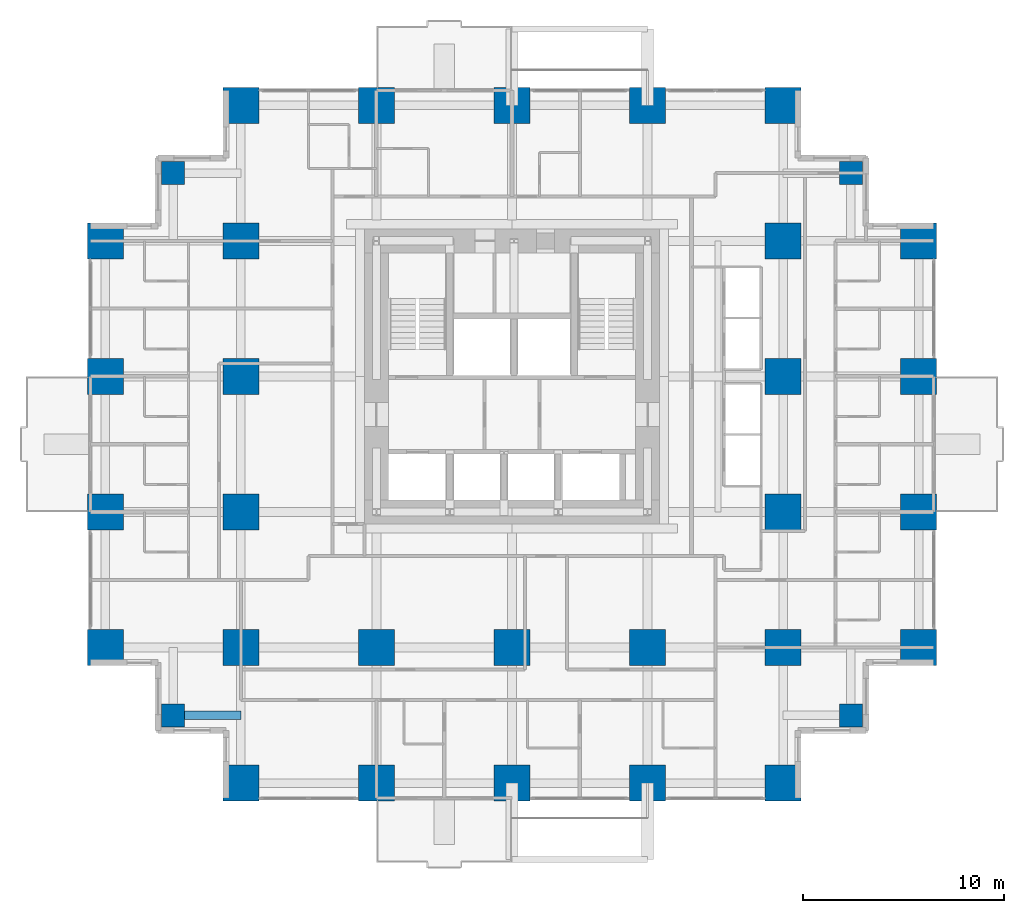
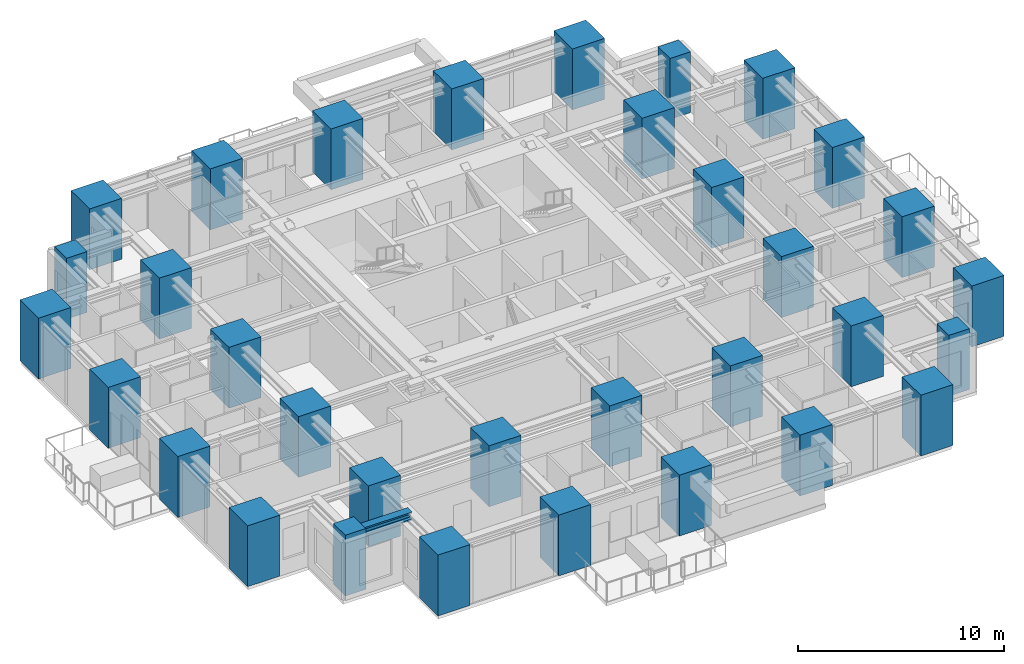
# One storey, part 1 of 13: 33 columns, 1 beam.
"""IFC4 building model written with IfcOpenShell, lengths in metres."""

from ifc_helpers import new_model, si_unit, direction, frame, origin, origin_2d, place, context, subcontext, project, spatial, rectangle, i_section, extrude, material, material_profile, profile_set, type_object, element, save


model = new_model("IFC4")

# Units and contexts
model_context = context("Model", 3, precision=1e-05, world=origin(), true_north=direction((0.0, 1.0)))
body_context = subcontext(model_context, "Body", "Model", "MODEL_VIEW")
ifc_project = project(units=[si_unit("LENGTHUNIT", "METRE"), si_unit("AREAUNIT", "SQUARE_METRE"), si_unit("VOLUMEUNIT", "CUBIC_METRE"), si_unit("PLANEANGLEUNIT", "RADIAN"), si_unit("MASSUNIT", "GRAM", prefix="KILO")], contexts=[model_context])

# Site, building, storey
site_placement = place(None, origin())
site = spatial("IfcSite", under=ifc_project, at=site_placement, CompositionType="ELEMENT")
building_placement = place(site_placement, origin())
building = spatial("IfcBuilding", under=site, at=building_placement, Name="Nyansa Garden Tower", CompositionType="ELEMENT")
storey_placement = place(building_placement, frame((0.0, 0.0, 94.5)))
storey = spatial("IfcBuildingStorey", under=building, at=storey_placement, Name="L25", CompositionType="ELEMENT", Elevation=94.5)

# Columns
ifc_material_1 = material(Name="Concrete C70/85", Category="concrete")
ifc_material_profile_1 = material_profile(ifc_material_1, rectangle(XDim=1.14990234375, YDim=1.14990234375, at=origin_2d()), Name="RC 1150x1150")
ifc_profile_set_1 = profile_set([ifc_material_profile_1], Name="Concrete C70/85")
column_type_1 = type_object("IfcColumnType", Name="Column C115 RC 1150x1150", PredefinedType="COLUMN", material=ifc_profile_set_1)
for number, where, z_axis, x_axis, name in (
    (1, (3.375, 3.375, 0.0), (0.0, 0.0, 1.0), (1.0, 0.0, 0.0), "Column x3.375/y3.375 L25"),
    (2, (3.375, 30.375, 0.0), (0.0, 0.0, 1.0), (1.0, 0.0, 0.0), "Column x3.375/y30.375 L25"),
    (3, (37.125, 3.375, 0.0), (0.0, 0.0, 1.0), (1.0, 0.0, 0.0), "Column x37.125/y3.375 L25"),
    (4, (37.125, 30.375, 0.0), (0.0, 0.0, 1.0), (1.0, 0.0, 0.0), "Column x37.125/y30.375 L25"),
):
    element("IfcColumn", number, at=place(storey_placement, frame(where, z_axis=z_axis, x_axis=x_axis)), inside=storey, type_object=column_type_1, Name=name, PredefinedType="COLUMN", context=body_context, shape_type="SweptSolid", body=[
        extrude(rectangle(XDim=1.14990234375, YDim=1.14990234375, at=origin_2d()), origin(), (0.0, 0.0, 1.0), 3.60009765625),
    ])
ifc_material_2 = material(Name="Concrete C80/95", Category="concrete")
ifc_material_profile_2 = material_profile(ifc_material_2, rectangle(XDim=1.800048828125, YDim=1.800048828125, at=origin_2d()), Name="RC 1800x1800")
ifc_profile_set_2 = profile_set([ifc_material_profile_2], Name="Concrete C80/95")
column_type_2 = type_object("IfcColumnType", Name="Column C180 RC 1800x1800", PredefinedType="COLUMN", material=ifc_profile_set_2)
for number, where, z_axis, x_axis, name in (
    (5, (0.0, 6.75, 0.0), (0.0, 0.0, 1.0), (1.0, 0.0, 0.0), "Column 2/E L25"),
    (6, (0.0, 13.5, 0.0), (0.0, 0.0, 1.0), (1.0, 0.0, 0.0), "Column 2/F L25"),
    (7, (0.0, 20.25, 0.0), (0.0, 0.0, 1.0), (1.0, 0.0, 0.0), "Column 2/G L25"),
    (8, (0.0, 27.0, 0.0), (0.0, 0.0, 1.0), (1.0, 0.0, 0.0), "Column 2/H L25"),
    (9, (6.75, 0.0, 0.0), (0.0, 0.0, 1.0), (1.0, 0.0, 0.0), "Column 3/D L25"),
    (10, (6.75, 6.75, 0.0), (0.0, 0.0, 1.0), (1.0, 0.0, 0.0), "Column 3/E L25"),
    (11, (6.75, 13.5, 0.0), (0.0, 0.0, 1.0), (1.0, 0.0, 0.0), "Column 3/F L25"),
    (12, (6.75, 20.25, 0.0), (0.0, 0.0, 1.0), (1.0, 0.0, 0.0), "Column 3/G L25"),
    (13, (6.75, 27.0, 0.0), (0.0, 0.0, 1.0), (1.0, 0.0, 0.0), "Column 3/H L25"),
    (14, (6.75, 33.75, 0.0), (0.0, 0.0, 1.0), (1.0, 0.0, 0.0), "Column 3/J L25"),
    (15, (13.5, 0.0, 0.0), (0.0, 0.0, 1.0), (1.0, 0.0, 0.0), "Column 4/D L25"),
    (16, (13.5, 6.75, 0.0), (0.0, 0.0, 1.0), (1.0, 0.0, 0.0), "Column 4/E L25"),
    (17, (13.5, 33.75, 0.0), (0.0, 0.0, 1.0), (1.0, 0.0, 0.0), "Column 4/J L25"),
    (18, (20.25, 0.0, 0.0), (0.0, 0.0, 1.0), (1.0, 0.0, 0.0), "Column 5/D L25"),
    (19, (20.25, 6.75, 0.0), (0.0, 0.0, 1.0), (1.0, 0.0, 0.0), "Column 5/E L25"),
    (20, (20.25, 33.75, 0.0), (0.0, 0.0, 1.0), (1.0, 0.0, 0.0), "Column 5/J L25"),
    (21, (27.0, 0.0, 0.0), (0.0, 0.0, 1.0), (1.0, 0.0, 0.0), "Column 6/D L25"),
    (22, (27.0, 6.75, 0.0), (0.0, 0.0, 1.0), (1.0, 0.0, 0.0), "Column 6/E L25"),
    (23, (27.0, 33.75, 0.0), (0.0, 0.0, 1.0), (1.0, 0.0, 0.0), "Column 6/J L25"),
    (24, (33.75, 0.0, 0.0), (0.0, 0.0, 1.0), (1.0, 0.0, 0.0), "Column 7/D L25"),
    (25, (33.75, 6.75, 0.0), (0.0, 0.0, 1.0), (1.0, 0.0, 0.0), "Column 7/E L25"),
    (26, (33.75, 13.5, 0.0), (0.0, 0.0, 1.0), (1.0, 0.0, 0.0), "Column 7/F L25"),
    (27, (33.75, 20.25, 0.0), (0.0, 0.0, 1.0), (1.0, 0.0, 0.0), "Column 7/G L25"),
    (28, (33.75, 27.0, 0.0), (0.0, 0.0, 1.0), (1.0, 0.0, 0.0), "Column 7/H L25"),
    (29, (33.75, 33.75, 0.0), (0.0, 0.0, 1.0), (1.0, 0.0, 0.0), "Column 7/J L25"),
    (30, (40.5, 6.75, 0.0), (0.0, 0.0, 1.0), (1.0, 0.0, 0.0), "Column 8/E L25"),
    (31, (40.5, 13.5, 0.0), (0.0, 0.0, 1.0), (1.0, 0.0, 0.0), "Column 8/F L25"),
    (32, (40.5, 20.25, 0.0), (0.0, 0.0, 1.0), (1.0, 0.0, 0.0), "Column 8/G L25"),
    (33, (40.5, 27.0, 0.0), (0.0, 0.0, 1.0), (1.0, 0.0, 0.0), "Column 8/H L25"),
):
    element("IfcColumn", number, at=place(storey_placement, frame(where, z_axis=z_axis, x_axis=x_axis)), inside=storey, type_object=column_type_2, Name=name, PredefinedType="COLUMN", context=body_context, shape_type="SweptSolid", body=[
        extrude(rectangle(XDim=1.800048828125, YDim=1.800048828125, at=origin_2d()), origin(), (0.0, 0.0, 1.0), 3.60009765625),
    ])

# Beam
ifc_material_3 = material(Name="Steel S355", Category="steel")
ifc_material_profile_3 = material_profile(ifc_material_3, i_section(OverallWidth=0.431884765625, OverallDepth=0.498046875, WebThickness=0.0556640625, FlangeThickness=0.0888671875, FilletRadius=0.014892578125, at=origin_2d()), Name="HD 400x744")
ifc_profile_set_3 = profile_set([ifc_material_profile_3], Name="Steel S355")
beam_type = type_object("IfcBeamType", Name="Steel beam SSB1-744 HD 400x744", PredefinedType="BEAM", material=ifc_profile_set_3)
beam_placement = place(storey_placement, frame((3.375, 3.375, 3.1259765625), z_axis=(1.0, 0.0, 0.0), x_axis=(0.0, 1.0, 0.0)))
element("IfcBeam", 34, at=beam_placement, inside=storey, type_object=beam_type, Name="Steel step beam 3.375/3.375 L26", PredefinedType="BEAM", context=body_context, shape_type="SweptSolid", body=[
    extrude(i_section(OverallWidth=0.431884765625, OverallDepth=0.498046875, WebThickness=0.0556640625, FlangeThickness=0.0888671875, FilletRadius=0.014892578125, at=origin_2d()), origin(), (0.0, 0.0, 1.0), 3.375),
])

save(model, "model.ifc")
